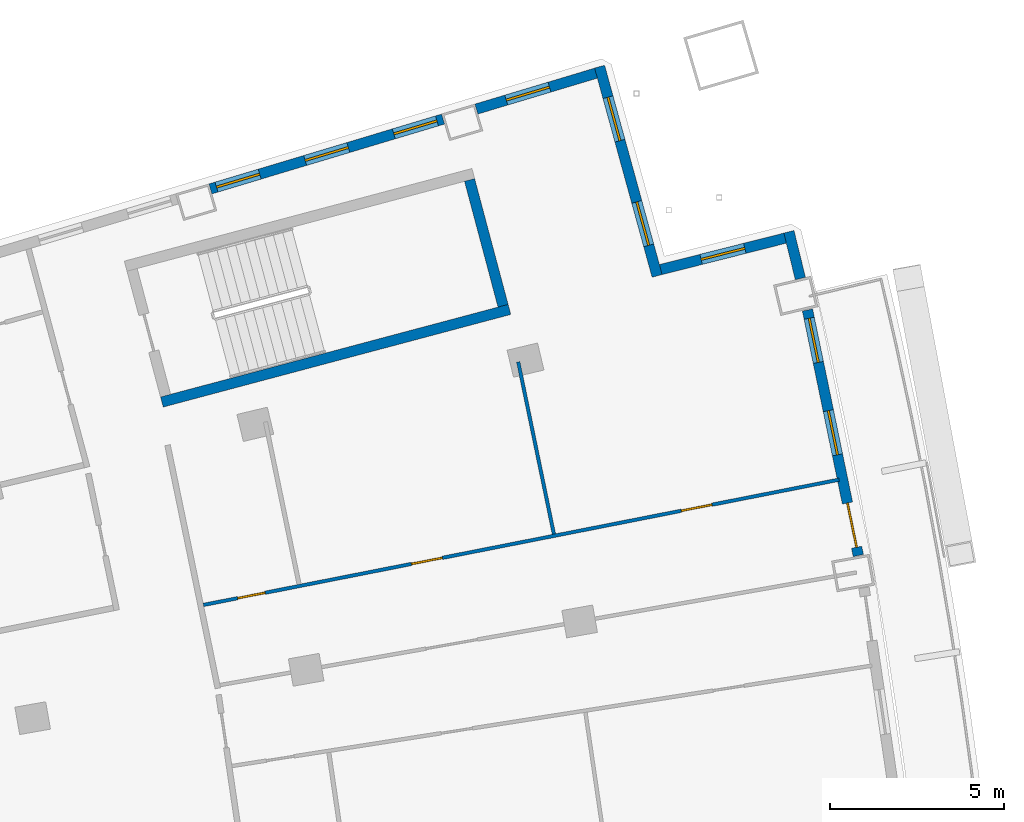
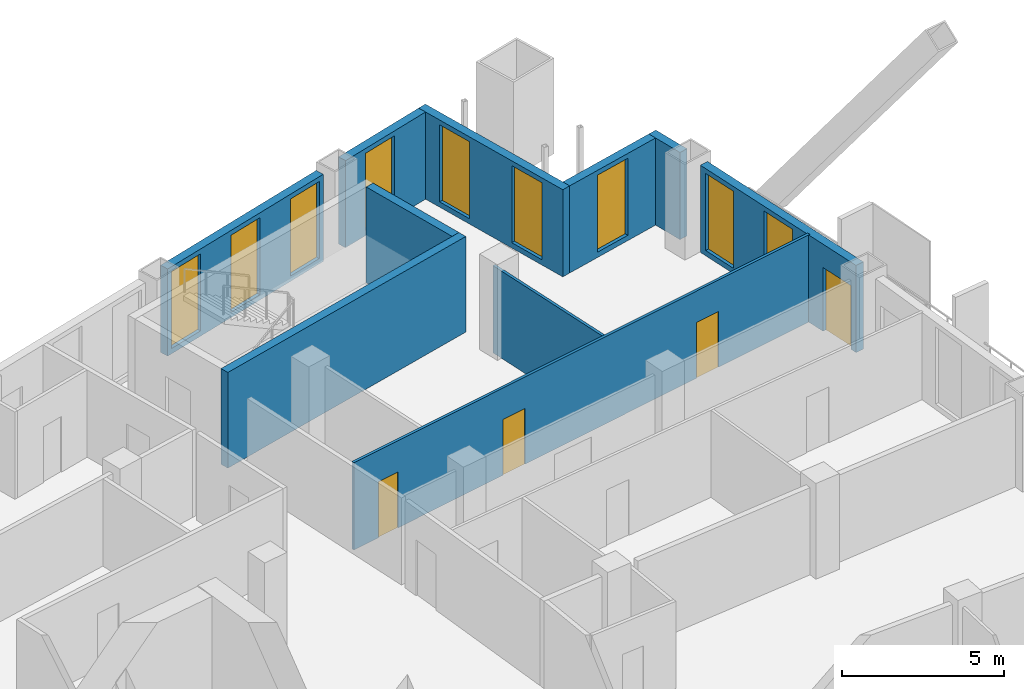
# One storey, part 16 of 20: 10 walls, 9 windows, 4 doors, 13 openings.
"""IFC4 building model written with IfcOpenShell, lengths in metres."""

from ifc_helpers import new_model, si_unit, direction, frame, frame_2d, origin, place, context, subcontext, project, spatial, rectangle, extrude, material, layer, layer_set, type_object, element, fill, save


model = new_model("IFC4")

# Units and contexts
model_context = context("Model", 3, precision=1e-05, world=origin(), true_north=direction((0.0, 1.0)))
body_context = subcontext(model_context, "Body", "Model", "MODEL_VIEW")
ifc_project = project(units=[si_unit("LENGTHUNIT", "METRE"), si_unit("AREAUNIT", "SQUARE_METRE"), si_unit("VOLUMEUNIT", "CUBIC_METRE"), si_unit("PLANEANGLEUNIT", "RADIAN"), si_unit("MASSUNIT", "GRAM", prefix="KILO")], contexts=[model_context])

# Site, building, storey
site_placement = place(None, origin())
site = spatial("IfcSite", under=ifc_project, at=site_placement, CompositionType="ELEMENT")
building_placement = place(site_placement, origin())
building = spatial("IfcBuilding", under=site, at=building_placement, Name="Alderwake Tower", CompositionType="ELEMENT")
storey_placement = place(building_placement, frame((0.0, 0.0, 149.60009765625)))
storey = spatial("IfcBuildingStorey", under=building, at=storey_placement, Name="L36", CompositionType="ELEMENT", Elevation=149.60009765625)

# Walls
ifc_material_1 = material(Name="Concrete C70/85", Category="concrete")
ifc_layer_1 = layer(ifc_material_1, 0.300048828125)
ifc_layer_set_1 = layer_set([ifc_layer_1], Name="Core wall stair enclosure 300 C70-85")
wall_type_1 = type_object("IfcWallType", Name="Core wall stair enclosure 300 C70-85", PredefinedType="SHEAR", material=ifc_layer_set_1)
wall_1_placement = place(storey_placement, frame((37.75390625, 90.268798828125, 0.0), z_axis=(0.0, 0.0, 1.0), x_axis=(0.966309214305, 0.257383958996, 0.0)))
element("IfcWall", 1, at=wall_1_placement, inside=storey, type_object=wall_type_1, Name="Core wall CW.084", PredefinedType="SHEAR", context=body_context, shape_type="SweptSolid", body=[
    extrude(rectangle(XDim=10.360107421875, YDim=0.300048828125, at=frame_2d((5.18017578125, 0.0))), origin(), (0.0, 0.0, 1.0), 3.599853515625),
])
wall_2_placement = place(storey_placement, frame((47.581298828125, 93.041748046875, 0.0), z_axis=(0.0, 0.0, 1.0), x_axis=(-0.257366821694, 0.966313778796, 0.0)))
element("IfcWall", 2, at=wall_2_placement, inside=storey, type_object=wall_type_1, Name="Core wall CW.081", PredefinedType="SHEAR", context=body_context, shape_type="SweptSolid", body=[
    extrude(rectangle(XDim=3.749755859375, YDim=0.300048828125, at=frame_2d((1.875, 0.0))), origin(), (0.0, 0.0, 1.0), 3.599853515625),
])

# Wall, openings, door, windows
ifc_material_2 = material(Name="Precast concrete C50/60 spandrel panel", Category="concrete")
ifc_layer_2 = layer(ifc_material_2, 0.300048828125)
ifc_layer_set_2 = layer_set([ifc_layer_2], Name="External wall EW1 Precast concrete C50/60 spandrel")
wall_type_2 = type_object("IfcWallType", Name="External wall EW1 Precast concrete C50/60 spandrel", PredefinedType="SOLIDWALL", material=ifc_layer_set_2)
wall_3_placement = place(storey_placement, frame((57.81494140625, 85.84716796875, 0.0), z_axis=(0.0, 0.0, 1.0), x_axis=(-0.202762098715, 0.979228028257, 0.0)))
wall_3 = element("IfcWall", 3, at=wall_3_placement, inside=storey, type_object=wall_type_2, Name="External wall 19", PredefinedType="SOLIDWALL", context=body_context, shape_type="SweptSolid", body=[
    extrude(rectangle(XDim=7.221923828125, YDim=0.300048828125, at=frame_2d((3.61083984375, 0.0))), origin(), (0.0, 0.0, 1.0), 3.27978515625),
])
opening_1_placement = place(wall_3_placement, frame((0.2431640625, 0.0, 0.0)))
opening_1 = element("IfcOpeningElement", 4, at=opening_1_placement, cuts=wall_3, Name="Opening D08", PredefinedType="OPENING", context=body_context, shape_type="SweptSolid", body=[
    extrude(rectangle(XDim=1.300048828125, YDim=2.39990234375, at=frame_2d((0.64990234375, 1.199951171875))), frame((0.0, 0.159912109375, 0.0), z_axis=(0.0, -1.0, 0.0), x_axis=(1.0, 0.0, 0.0)), (0.0, 0.0, 1.0), 0.320068359375),
])
opening_2_placement = place(wall_3_placement, frame((2.961181640625, 0.0, 0.199951171875)))
opening_2 = element("IfcOpeningElement", 5, at=opening_2_placement, cuts=wall_3, Name="Opening W1", PredefinedType="OPENING", context=body_context, shape_type="SweptSolid", body=[
    extrude(rectangle(XDim=1.300048828125, YDim=2.89990234375, at=frame_2d((0.64990234375, 1.449951171875))), frame((0.0, 0.159912109375, 0.0), z_axis=(0.0, -1.0, 0.0), x_axis=(1.0, 0.0, 0.0)), (0.0, 0.0, 1.0), 0.320068359375),
])
opening_3_placement = place(wall_3_placement, frame((5.678955078125, 0.0, 0.199951171875)))
opening_3 = element("IfcOpeningElement", 6, at=opening_3_placement, cuts=wall_3, Name="Opening W1", PredefinedType="OPENING", context=body_context, shape_type="SweptSolid", body=[
    extrude(rectangle(XDim=1.300048828125, YDim=2.89990234375, at=frame_2d((0.64990234375, 1.449951171875))), frame((0.0, 0.159912109375, 0.0), z_axis=(0.0, -1.0, 0.0), x_axis=(1.0, 0.0, 0.0)), (0.0, 0.0, 1.0), 0.320068359375),
])
ifc_material_3 = material(Name="Bronze tinted glass in aluminium frame", Category="aluminium")
door_type_1 = type_object("IfcDoorType", Name="Balcony door BD sliding", OperationType="SLIDING_TO_LEFT", PredefinedType="DOOR", material=ifc_material_3)
door_1_placement = place(opening_1_placement, origin())
door_1 = element("IfcDoor", 7, at=door_1_placement, inside=storey, type_object=door_type_1, Name="Door D08", OperationType="SLIDING_TO_LEFT", OverallHeight=2.39990234375, OverallWidth=1.300048828125, PredefinedType="DOOR", context=body_context, shape_type="SweptSolid", body=[
    extrude(rectangle(XDim=1.300048828125, YDim=2.39990234375, at=frame_2d((0.64990234375, 1.199951171875))), frame((0.0, 0.02490234375, 0.0), z_axis=(0.0, -1.0, 0.0), x_axis=(1.0, 0.0, 0.0)), (0.0, 0.0, 1.0), 0.050048828125),
])
fill(opening_1, door_1)
ifc_material_4 = material(Name="Bronze tinted glass in aluminium frame", Category="aluminium")
window_type = type_object("IfcWindowType", Name="Window W1 tall fixed and vent", PartitioningType="DOUBLE_PANEL_VERTICAL", PredefinedType="WINDOW", material=ifc_material_4)
window_1_placement = place(opening_2_placement, origin())
window_1 = element("IfcWindow", 8, at=window_1_placement, inside=storey, type_object=window_type, Name="Window W1 tall fixed and vent", OverallHeight=2.89990234375, OverallWidth=1.300048828125, PartitioningType="DOUBLE_PANEL_VERTICAL", PredefinedType="WINDOW", context=body_context, shape_type="SweptSolid", body=[
    extrude(rectangle(XDim=1.300048828125, YDim=2.89990234375, at=frame_2d((0.64990234375, 1.449951171875))), frame((0.0, 0.030029296875, 0.0), z_axis=(0.0, -1.0, 0.0), x_axis=(1.0, 0.0, 0.0)), (0.0, 0.0, 1.0), 0.06005859375),
])
fill(opening_2, window_1)
window_2_placement = place(opening_3_placement, origin())
window_2 = element("IfcWindow", 9, at=window_2_placement, inside=storey, type_object=window_type, Name="Window W1 tall fixed and vent", OverallHeight=2.89990234375, OverallWidth=1.300048828125, PartitioningType="DOUBLE_PANEL_VERTICAL", PredefinedType="WINDOW", context=body_context, shape_type="SweptSolid", body=[
    extrude(rectangle(XDim=1.300048828125, YDim=2.89990234375, at=frame_2d((0.64990234375, 1.449951171875))), frame((0.0, 0.030029296875, 0.0), z_axis=(0.0, -1.0, 0.0), x_axis=(1.0, 0.0, 0.0)), (0.0, 0.0, 1.0), 0.06005859375),
])
fill(opening_3, window_2)

# Wall
wall_4_placement = place(storey_placement, frame((56.14599609375, 93.8251953125, 0.0), z_axis=(0.0, 0.0, 1.0), x_axis=(-0.238224661371, 0.97121007548, 0.0)))
element("IfcWall", 10, at=wall_4_placement, inside=storey, type_object=wall_type_2, Name="External wall 20", PredefinedType="SOLIDWALL", context=body_context, shape_type="SweptSolid", body=[
    extrude(rectangle(XDim=1.38671875, YDim=0.300048828125, at=frame_2d((0.693359375, 0.0))), origin(), (0.0, 0.0, 1.0), 3.27978515625),
])

# Wall, opening, window
ifc_material_5 = material(Name="Bronze metal cladding on lightweight framing")
ifc_layer_3 = layer(ifc_material_5, 0.300048828125)
ifc_layer_set_3 = layer_set([ifc_layer_3], Name="External wall EW2 bronze metal cladding")
wall_type_3 = type_object("IfcWallType", Name="External wall EW2 bronze metal cladding", PredefinedType="SOLIDWALL", material=ifc_layer_set_3)
wall_5_placement = place(storey_placement, frame((55.7060546875, 94.989501953125, 0.0), z_axis=(0.0, 0.0, 1.0), x_axis=(-0.969426922046, -0.245380200529, 0.0)))
wall_5 = element("IfcWall", 11, at=wall_5_placement, inside=storey, type_object=wall_type_3, Name="External wall 21", PredefinedType="SOLIDWALL", context=body_context, shape_type="SweptSolid", body=[
    extrude(rectangle(XDim=3.6943359375, YDim=0.300048828125, at=frame_2d((1.84716796875, 0.0))), origin(), (0.0, 0.0, 1.0), 3.27978515625),
])
opening_4_placement = place(wall_5_placement, frame((1.197021484375, 0.0, 0.199951171875)))
opening_4 = element("IfcOpeningElement", 12, at=opening_4_placement, cuts=wall_5, Name="Opening W1", PredefinedType="OPENING", context=body_context, shape_type="SweptSolid", body=[
    extrude(rectangle(XDim=1.300048828125, YDim=2.89990234375, at=frame_2d((0.64990234375, 1.449951171875))), frame((0.0, 0.159912109375, 0.0), z_axis=(0.0, -1.0, 0.0), x_axis=(1.0, 0.0, 0.0)), (0.0, 0.0, 1.0), 0.320068359375),
])
window_3_placement = place(opening_4_placement, origin())
window_3 = element("IfcWindow", 13, at=window_3_placement, inside=storey, type_object=window_type, Name="Window W1 tall fixed and vent", OverallHeight=2.89990234375, OverallWidth=1.300048828125, PartitioningType="DOUBLE_PANEL_VERTICAL", PredefinedType="WINDOW", context=body_context, shape_type="SweptSolid", body=[
    extrude(rectangle(XDim=1.300048828125, YDim=2.89990234375, at=frame_2d((0.64990234375, 1.449951171875))), frame((0.0, 0.030029296875, 0.0), z_axis=(0.0, -1.0, 0.0), x_axis=(1.0, 0.0, 0.0)), (0.0, 0.0, 1.0), 0.06005859375),
])
fill(opening_4, window_3)

# Wall, openings, windows
wall_6_placement = place(storey_placement, frame((52.01904296875, 93.901611328125, 0.0), z_axis=(0.0, 0.0, 1.0), x_axis=(-0.265092944452, 0.964222863659, 0.0)))
wall_6 = element("IfcWall", 14, at=wall_6_placement, inside=storey, type_object=wall_type_3, Name="External wall 22", PredefinedType="SOLIDWALL", context=body_context, shape_type="SweptSolid", body=[
    extrude(rectangle(XDim=6.25146484375, YDim=0.300048828125, at=frame_2d((3.125732421875, 0.0))), origin(), (0.0, 0.0, 1.0), 3.27978515625),
])
opening_5_placement = place(wall_6_placement, frame((0.912841796875, 0.0, 0.199951171875)))
opening_5 = element("IfcOpeningElement", 15, at=opening_5_placement, cuts=wall_6, Name="Opening W1", PredefinedType="OPENING", context=body_context, shape_type="SweptSolid", body=[
    extrude(rectangle(XDim=1.300048828125, YDim=2.89990234375, at=frame_2d((0.64990234375, 1.449951171875))), frame((0.0, 0.159912109375, 0.0), z_axis=(0.0, -1.0, 0.0), x_axis=(1.0, 0.0, 0.0)), (0.0, 0.0, 1.0), 0.320068359375),
])
opening_6_placement = place(wall_6_placement, frame((4.038818359375, 0.0, 0.199951171875)))
opening_6 = element("IfcOpeningElement", 16, at=opening_6_placement, cuts=wall_6, Name="Opening W1", PredefinedType="OPENING", context=body_context, shape_type="SweptSolid", body=[
    extrude(rectangle(XDim=1.300048828125, YDim=2.89990234375, at=frame_2d((0.64990234375, 1.449951171875))), frame((0.0, 0.159912109375, 0.0), z_axis=(0.0, -1.0, 0.0), x_axis=(1.0, 0.0, 0.0)), (0.0, 0.0, 1.0), 0.320068359375),
])
window_4_placement = place(opening_5_placement, origin())
window_4 = element("IfcWindow", 17, at=window_4_placement, inside=storey, type_object=window_type, Name="Window W1 tall fixed and vent", OverallHeight=2.89990234375, OverallWidth=1.300048828125, PartitioningType="DOUBLE_PANEL_VERTICAL", PredefinedType="WINDOW", context=body_context, shape_type="SweptSolid", body=[
    extrude(rectangle(XDim=1.300048828125, YDim=2.89990234375, at=frame_2d((0.64990234375, 1.449951171875))), frame((0.0, 0.030029296875, 0.0), z_axis=(0.0, -1.0, 0.0), x_axis=(1.0, 0.0, 0.0)), (0.0, 0.0, 1.0), 0.06005859375),
])
fill(opening_5, window_4)
window_5_placement = place(opening_6_placement, origin())
window_5 = element("IfcWindow", 18, at=window_5_placement, inside=storey, type_object=window_type, Name="Window W1 tall fixed and vent", OverallHeight=2.89990234375, OverallWidth=1.300048828125, PartitioningType="DOUBLE_PANEL_VERTICAL", PredefinedType="WINDOW", context=body_context, shape_type="SweptSolid", body=[
    extrude(rectangle(XDim=1.300048828125, YDim=2.89990234375, at=frame_2d((0.64990234375, 1.449951171875))), frame((0.0, 0.030029296875, 0.0), z_axis=(0.0, -1.0, 0.0), x_axis=(1.0, 0.0, 0.0)), (0.0, 0.0, 1.0), 0.06005859375),
])
fill(opening_6, window_5)

# Wall, opening, window
wall_7_placement = place(storey_placement, frame((50.2578125, 99.74169921875, 0.0), z_axis=(0.0, 0.0, 1.0), x_axis=(-0.957758994148, -0.287572093792, 0.0)))
wall_7 = element("IfcWall", 19, at=wall_7_placement, inside=storey, type_object=wall_type_3, Name="External wall 23", PredefinedType="SOLIDWALL", context=body_context, shape_type="SweptSolid", body=[
    extrude(rectangle(XDim=3.59619140625, YDim=0.300048828125, at=frame_2d((1.798095703125, 0.0))), origin(), (0.0, 0.0, 1.0), 3.27978515625),
])
opening_7_placement = place(wall_7_placement, frame((1.39892578125, 0.0, 0.199951171875)))
opening_7 = element("IfcOpeningElement", 20, at=opening_7_placement, cuts=wall_7, Name="Opening W1", PredefinedType="OPENING", context=body_context, shape_type="SweptSolid", body=[
    extrude(rectangle(XDim=1.300048828125, YDim=2.89990234375, at=frame_2d((0.64990234375, 1.449951171875))), frame((0.0, 0.159912109375, 0.0), z_axis=(0.0, -1.0, 0.0), x_axis=(1.0, 0.0, 0.0)), (0.0, 0.0, 1.0), 0.320068359375),
])
window_6_placement = place(opening_7_placement, origin())
window_6 = element("IfcWindow", 21, at=window_6_placement, inside=storey, type_object=window_type, Name="Window W1 tall fixed and vent", OverallHeight=2.89990234375, OverallWidth=1.300048828125, PartitioningType="DOUBLE_PANEL_VERTICAL", PredefinedType="WINDOW", context=body_context, shape_type="SweptSolid", body=[
    extrude(rectangle(XDim=1.300048828125, YDim=2.89990234375, at=frame_2d((0.64990234375, 1.449951171875))), frame((0.0, 0.030029296875, 0.0), z_axis=(0.0, -1.0, 0.0), x_axis=(1.0, 0.0, 0.0)), (0.0, 0.0, 1.0), 0.06005859375),
])
fill(opening_7, window_6)

# Wall, openings, windows
wall_8_placement = place(storey_placement, frame((45.852294921875, 98.4189453125, 0.0), z_axis=(0.0, 0.0, 1.0), x_axis=(-0.957766716661, -0.287546372706, 0.0)))
wall_8 = element("IfcWall", 22, at=wall_8_placement, inside=storey, type_object=wall_type_3, Name="External wall 24", PredefinedType="SOLIDWALL", context=body_context, shape_type="SweptSolid", body=[
    extrude(rectangle(XDim=6.99609375, YDim=0.300048828125, at=frame_2d((3.498046875, 0.0))), origin(), (0.0, 0.0, 1.0), 3.27978515625),
])
opening_8_placement = place(wall_8_placement, frame((0.181396484375, 0.0, 0.199951171875)))
opening_8 = element("IfcOpeningElement", 23, at=opening_8_placement, cuts=wall_8, Name="Opening W1", PredefinedType="OPENING", context=body_context, shape_type="SweptSolid", body=[
    extrude(rectangle(XDim=1.300048828125, YDim=2.89990234375, at=frame_2d((0.64990234375, 1.449951171875))), frame((0.0, 0.159912109375, 0.0), z_axis=(0.0, -1.0, 0.0), x_axis=(1.0, 0.0, 0.0)), (0.0, 0.0, 1.0), 0.320068359375),
])
opening_9_placement = place(wall_8_placement, frame((2.84814453125, 0.0, 0.199951171875)))
opening_9 = element("IfcOpeningElement", 24, at=opening_9_placement, cuts=wall_8, Name="Opening W1", PredefinedType="OPENING", context=body_context, shape_type="SweptSolid", body=[
    extrude(rectangle(XDim=1.300048828125, YDim=2.89990234375, at=frame_2d((0.64990234375, 1.449951171875))), frame((0.0, 0.159912109375, 0.0), z_axis=(0.0, -1.0, 0.0), x_axis=(1.0, 0.0, 0.0)), (0.0, 0.0, 1.0), 0.320068359375),
])
opening_10_placement = place(wall_8_placement, frame((5.514892578125, 0.0, 0.199951171875)))
opening_10 = element("IfcOpeningElement", 25, at=opening_10_placement, cuts=wall_8, Name="Opening W1", PredefinedType="OPENING", context=body_context, shape_type="SweptSolid", body=[
    extrude(rectangle(XDim=1.300048828125, YDim=2.89990234375, at=frame_2d((0.64990234375, 1.449951171875))), frame((0.0, 0.159912109375, 0.0), z_axis=(0.0, -1.0, 0.0), x_axis=(1.0, 0.0, 0.0)), (0.0, 0.0, 1.0), 0.320068359375),
])
window_7_placement = place(opening_8_placement, origin())
window_7 = element("IfcWindow", 26, at=window_7_placement, inside=storey, type_object=window_type, Name="Window W1 tall fixed and vent", OverallHeight=2.89990234375, OverallWidth=1.300048828125, PartitioningType="DOUBLE_PANEL_VERTICAL", PredefinedType="WINDOW", context=body_context, shape_type="SweptSolid", body=[
    extrude(rectangle(XDim=1.300048828125, YDim=2.89990234375, at=frame_2d((0.64990234375, 1.449951171875))), frame((0.0, 0.030029296875, 0.0), z_axis=(0.0, -1.0, 0.0), x_axis=(1.0, 0.0, 0.0)), (0.0, 0.0, 1.0), 0.06005859375),
])
fill(opening_8, window_7)
window_8_placement = place(opening_9_placement, origin())
window_8 = element("IfcWindow", 27, at=window_8_placement, inside=storey, type_object=window_type, Name="Window W1 tall fixed and vent", OverallHeight=2.89990234375, OverallWidth=1.300048828125, PartitioningType="DOUBLE_PANEL_VERTICAL", PredefinedType="WINDOW", context=body_context, shape_type="SweptSolid", body=[
    extrude(rectangle(XDim=1.300048828125, YDim=2.89990234375, at=frame_2d((0.64990234375, 1.449951171875))), frame((0.0, 0.030029296875, 0.0), z_axis=(0.0, -1.0, 0.0), x_axis=(1.0, 0.0, 0.0)), (0.0, 0.0, 1.0), 0.06005859375),
])
fill(opening_9, window_8)
window_9_placement = place(opening_10_placement, origin())
window_9 = element("IfcWindow", 28, at=window_9_placement, inside=storey, type_object=window_type, Name="Window W1 tall fixed and vent", OverallHeight=2.89990234375, OverallWidth=1.300048828125, PartitioningType="DOUBLE_PANEL_VERTICAL", PredefinedType="WINDOW", context=body_context, shape_type="SweptSolid", body=[
    extrude(rectangle(XDim=1.300048828125, YDim=2.89990234375, at=frame_2d((0.64990234375, 1.449951171875))), frame((0.0, 0.030029296875, 0.0), z_axis=(0.0, -1.0, 0.0), x_axis=(1.0, 0.0, 0.0)), (0.0, 0.0, 1.0), 0.06005859375),
])
fill(opening_10, window_9)

# Wall, openings, doors
ifc_material_6 = material(Name="Gypsum board on metal studs")
ifc_layer_4 = layer(ifc_material_6, 0.10009765625)
ifc_layer_set_4 = layer_set([ifc_layer_4], Name="Unit partition 100")
wall_type_4 = type_object("IfcWallType", Name="Unit partition 100", PredefinedType="PARTITIONING", material=ifc_layer_set_4)
wall_9_placement = place(storey_placement, frame((38.949462890625, 84.423583984375, 0.0), z_axis=(0.0, 0.0, 1.0), x_axis=(0.981132184997, 0.193338137889, 0.0)))
wall_9 = element("IfcWall", 29, at=wall_9_placement, inside=storey, type_object=wall_type_4, Name="WL/L36/W43", PredefinedType="PARTITIONING", context=body_context, shape_type="SweptSolid", body=[
    extrude(rectangle(XDim=18.66357421875, YDim=0.10009765625, at=frame_2d((9.331787109375, 0.0))), origin(), (0.0, 0.0, 1.0), 3.27978515625),
])
opening_11_placement = place(wall_9_placement, frame((6.1103515625, 0.0, 0.0)))
opening_11 = element("IfcOpeningElement", 30, at=opening_11_placement, cuts=wall_9, Name="Opening R10-U07.5", PredefinedType="OPENING", context=body_context, shape_type="SweptSolid", body=[
    extrude(rectangle(XDim=0.89990234375, YDim=2.10009765625, at=frame_2d((0.449951171875, 1.050048828125))), frame((0.0, 0.06005859375, 0.0), z_axis=(0.0, -1.0, 0.0), x_axis=(1.0, 0.0, 0.0)), (0.0, 0.0, 1.0), 0.1201171875),
])
opening_12_placement = place(wall_9_placement, frame((1.009521484375, 0.0, 0.0)))
opening_12 = element("IfcOpeningElement", 31, at=opening_12_placement, cuts=wall_9, Name="Opening R10-U07.6", PredefinedType="OPENING", context=body_context, shape_type="SweptSolid", body=[
    extrude(rectangle(XDim=0.800048828125, YDim=2.10009765625, at=frame_2d((0.39990234375, 1.050048828125))), frame((0.0, 0.06005859375, 0.0), z_axis=(0.0, -1.0, 0.0), x_axis=(1.0, 0.0, 0.0)), (0.0, 0.0, 1.0), 0.1201171875),
])
opening_13_placement = place(wall_9_placement, frame((14.031982421875, 0.0, 0.0)))
opening_13 = element("IfcOpeningElement", 32, at=opening_13_placement, cuts=wall_9, Name="Opening R10-U07.7", PredefinedType="OPENING", context=body_context, shape_type="SweptSolid", body=[
    extrude(rectangle(XDim=0.89990234375, YDim=2.10009765625, at=frame_2d((0.449951171875, 1.050048828125))), frame((0.0, 0.06005859375, 0.0), z_axis=(0.0, -1.0, 0.0), x_axis=(1.0, 0.0, 0.0)), (0.0, 0.0, 1.0), 0.1201171875),
])
ifc_material_7 = material(Name="Painted timber leaf", Category="wood")
door_type_2 = type_object("IfcDoorType", Name="Bathroom door 800", OperationType="SINGLE_SWING_LEFT", PredefinedType="DOOR", material=ifc_material_7)
door_2_placement = place(opening_12_placement, origin())
door_2 = element("IfcDoor", 33, at=door_2_placement, inside=storey, type_object=door_type_2, Name="DR/L36/U07.6", OperationType="SINGLE_SWING_LEFT", OverallHeight=2.10009765625, OverallWidth=0.800048828125, PredefinedType="DOOR", context=body_context, shape_type="SweptSolid", body=[
    extrude(rectangle(XDim=0.800048828125, YDim=2.10009765625, at=frame_2d((0.39990234375, 1.050048828125))), frame((0.0, 0.02490234375, 0.0), z_axis=(0.0, -1.0, 0.0), x_axis=(1.0, 0.0, 0.0)), (0.0, 0.0, 1.0), 0.050048828125),
])
fill(opening_12, door_2)
ifc_material_8 = material(Name="Painted timber leaf", Category="wood")
door_type_3 = type_object("IfcDoorType", Name="Room door 900", OperationType="SINGLE_SWING_LEFT", PredefinedType="DOOR", material=ifc_material_8)
door_3_placement = place(opening_11_placement, origin())
door_3 = element("IfcDoor", 34, at=door_3_placement, inside=storey, type_object=door_type_3, Name="DR/L36/U07.5", OperationType="SINGLE_SWING_LEFT", OverallHeight=2.10009765625, OverallWidth=0.89990234375, PredefinedType="DOOR", context=body_context, shape_type="SweptSolid", body=[
    extrude(rectangle(XDim=0.89990234375, YDim=2.10009765625, at=frame_2d((0.449951171875, 1.050048828125))), frame((0.0, 0.02490234375, 0.0), z_axis=(0.0, -1.0, 0.0), x_axis=(1.0, 0.0, 0.0)), (0.0, 0.0, 1.0), 0.050048828125),
])
fill(opening_11, door_3)
door_4_placement = place(opening_13_placement, origin())
door_4 = element("IfcDoor", 35, at=door_4_placement, inside=storey, type_object=door_type_3, Name="DR/L36/U07.7", OperationType="SINGLE_SWING_LEFT", OverallHeight=2.10009765625, OverallWidth=0.89990234375, PredefinedType="DOOR", context=body_context, shape_type="SweptSolid", body=[
    extrude(rectangle(XDim=0.89990234375, YDim=2.10009765625, at=frame_2d((0.449951171875, 1.050048828125))), frame((0.0, 0.02490234375, 0.0), z_axis=(0.0, -1.0, 0.0), x_axis=(1.0, 0.0, 0.0)), (0.0, 0.0, 1.0), 0.050048828125),
])
fill(opening_13, door_4)

# Wall
wall_10_placement = place(storey_placement, frame((49.0458984375, 86.464111328125, 0.0), z_axis=(0.0, 0.0, 1.0), x_axis=(-0.202876488764, 0.979204335319, 0.0)))
element("IfcWall", 36, at=wall_10_placement, inside=storey, type_object=wall_type_4, Name="WL/L36/W48", PredefinedType="PARTITIONING", context=body_context, shape_type="SweptSolid", body=[
    extrude(rectangle(XDim=5.06640625, YDim=0.10009765625, at=frame_2d((2.533203125, 0.0))), origin(), (0.0, 0.0, 1.0), 3.27978515625),
])

save(model, "model.ifc")
